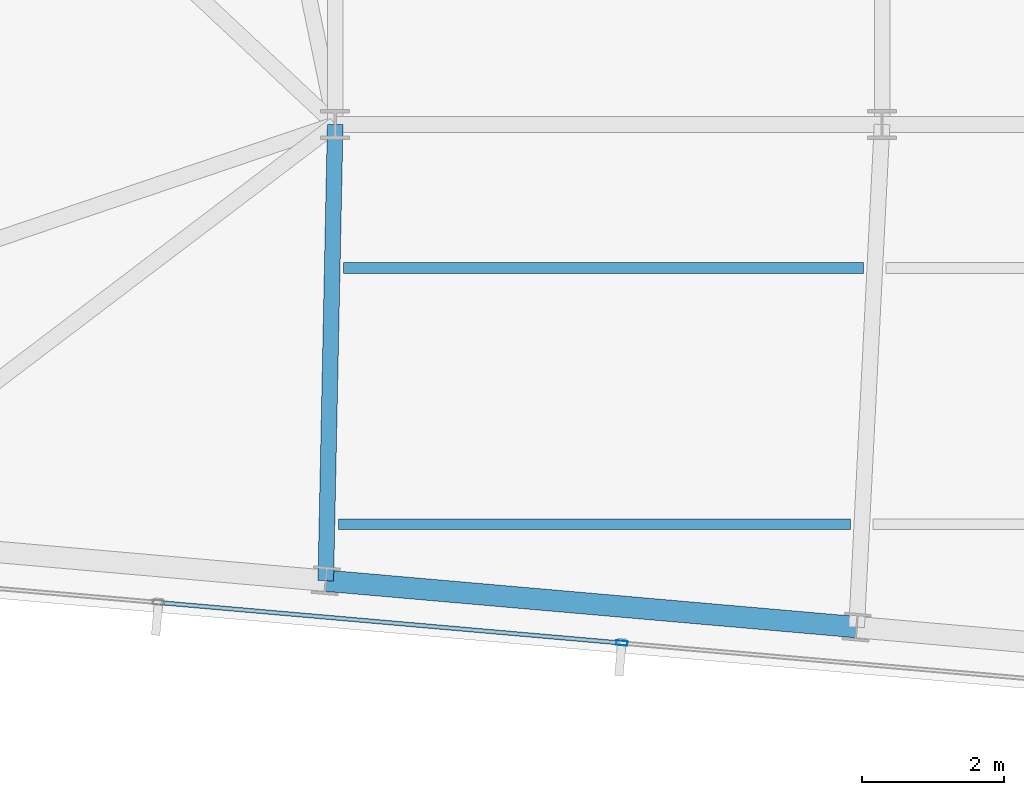
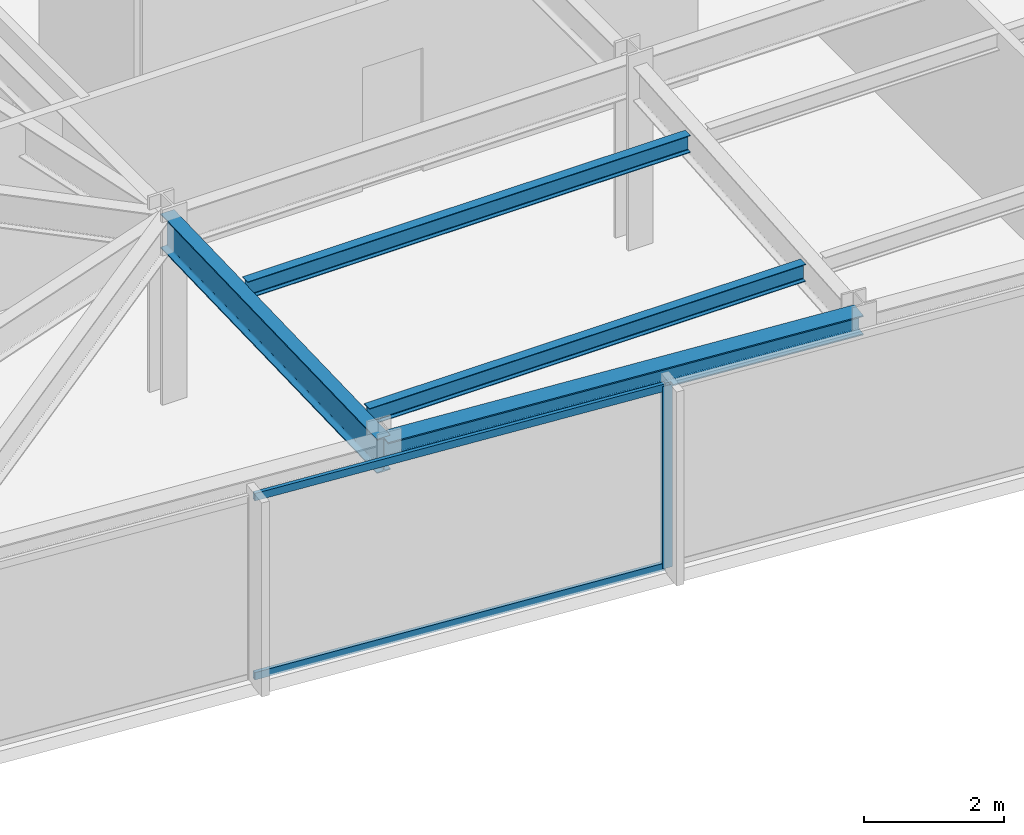
# One storey, part 6 of 32: 4 beams, 3 members, 1 element without a shape of its own.
"""IFC4 building model written with IfcOpenShell, lengths in metres."""

from ifc_helpers import new_model, si_unit, direction, frame, origin, origin_2d, place, context, subcontext, project, spatial, hollow_rectangle, i_section, extrude, material, material_profile, profile_set, type_object, element, aggregate, save


model = new_model("IFC4")

# Units and contexts
model_context = context("Model", 3, precision=1e-05, world=origin(), true_north=direction((0.0, 1.0)))
body_context = subcontext(model_context, "Body", "Model", "MODEL_VIEW")
ifc_project = project(units=[si_unit("LENGTHUNIT", "METRE"), si_unit("AREAUNIT", "SQUARE_METRE"), si_unit("VOLUMEUNIT", "CUBIC_METRE"), si_unit("PLANEANGLEUNIT", "RADIAN"), si_unit("MASSUNIT", "GRAM", prefix="KILO")], contexts=[model_context])

# Site, building, storey
site_placement = place(None, origin())
site = spatial("IfcSite", under=ifc_project, at=site_placement, CompositionType="ELEMENT")
building_placement = place(site_placement, origin())
building = spatial("IfcBuilding", under=site, at=building_placement, Name="Yelkora Congress Tower", CompositionType="ELEMENT")
storey_placement = place(building_placement, frame((0.0, 0.0, 265.89990234375)))
storey = spatial("IfcBuildingStorey", under=building, at=storey_placement, Name="L74", CompositionType="ELEMENT", Elevation=265.89990234375)

# Beams
ifc_material_1 = material(Name="Steel S355J2", Category="steel")
ifc_material_profile_1 = material_profile(ifc_material_1, i_section(OverallWidth=0.219970703125, OverallDepth=0.60009765625, WebThickness=0.011962890625, FlangeThickness=0.01904296875, FilletRadius=0.02392578125, at=origin_2d()), Name="IPE 600")
ifc_profile_set_1 = profile_set([ifc_material_profile_1], Name="Steel S355J2")
beam_type_1 = type_object("IfcBeamType", Name="BM-GIRD-IPE600", PredefinedType="BEAM", material=ifc_profile_set_1)
beam_1_placement = place(storey_placement, frame((22.90771484375, 18.793212890625, 2.880126953125), z_axis=(0.020649509667, 0.999786776143, 0.0), x_axis=(-0.999786776143, 0.020649509667, 0.0)))
element("IfcBeam", 1, at=beam_1_placement, inside=storey, type_object=beam_type_1, Name="L74 Primary Frame Girder S03", PredefinedType="BEAM", context=body_context, shape_type="SweptSolid", body=[
    extrude(i_section(OverallWidth=0.219970703125, OverallDepth=0.60009765625, WebThickness=0.011962890625, FlangeThickness=0.01904296875, FilletRadius=0.02392578125, at=origin_2d()), origin(), (0.0, 0.0, 1.0), 6.408203125),
])
ifc_material_profile_2 = material_profile(ifc_material_1, i_section(OverallWidth=0.14990234375, OverallDepth=0.300048828125, WebThickness=0.007080078125, FlangeThickness=0.0107421875, FilletRadius=0.014892578125, at=origin_2d()), Name="IPE 300")
ifc_profile_set_2 = profile_set([ifc_material_profile_2], Name="Steel S355J2")
beam_type_2 = type_object("IfcBeamType", Name="BM-JOIST-IPE300", PredefinedType="JOIST", material=ifc_profile_set_2)
beam_2_placement = place(storey_placement, frame((23.083984375, 19.58447265625, 3.030029296875), z_axis=(1.0, 0.0, 0.0), x_axis=(0.0, 1.0, 0.0)))
element("IfcBeam", 2, at=beam_2_placement, inside=storey, type_object=beam_type_2, Name="L74 Composite Floor Joist 1", PredefinedType="JOIST", context=body_context, shape_type="SweptSolid", body=[
    extrude(i_section(OverallWidth=0.14990234375, OverallDepth=0.300048828125, WebThickness=0.007080078125, FlangeThickness=0.0107421875, FilletRadius=0.014892578125, at=origin_2d()), origin(), (0.0, 0.0, 1.0), 7.191650390625),
])
beam_3_placement = place(storey_placement, frame((23.158447265625, 23.1845703125, 3.030029296875), z_axis=(1.0, 0.0, 0.0), x_axis=(0.0, 1.0, 0.0)))
element("IfcBeam", 3, at=beam_3_placement, inside=storey, type_object=beam_type_2, Name="L74 Composite Floor Joist 5", PredefinedType="JOIST", context=body_context, shape_type="SweptSolid", body=[
    extrude(i_section(OverallWidth=0.14990234375, OverallDepth=0.300048828125, WebThickness=0.007080078125, FlangeThickness=0.0107421875, FilletRadius=0.014892578125, at=origin_2d()), origin(), (0.0, 0.0, 1.0), 7.299560546875),
])
ifc_material_profile_3 = material_profile(ifc_material_1, i_section(OverallWidth=0.300048828125, OverallDepth=0.340087890625, WebThickness=0.011962890625, FlangeThickness=0.021484375, FilletRadius=0.027099609375, at=origin_2d()), Name="HEB 340")
ifc_profile_set_3 = profile_set([ifc_material_profile_3], Name="Steel S355J2")
beam_type_3 = type_object("IfcBeamType", Name="BM-SPAN-HEB340", PredefinedType="SPANDREL", material=ifc_profile_set_3)
beam_4_placement = place(storey_placement, frame((22.90771484375, 18.793212890625, 3.010009765625), z_axis=(0.99619601894, -0.087140644067, 0.0), x_axis=(0.087140644067, 0.99619601894, 0.0)))
element("IfcBeam", 4, at=beam_4_placement, inside=storey, type_object=beam_type_3, Name="L74 Perimeter Beam 3", PredefinedType="SPANDREL", context=body_context, shape_type="SweptSolid", body=[
    extrude(i_section(OverallWidth=0.300048828125, OverallDepth=0.340087890625, WebThickness=0.011962890625, FlangeThickness=0.021484375, FilletRadius=0.027099609375, at=origin_2d()), origin(), (0.0, 0.0, 1.0), 7.4833984375),
])

# Curtain wall, members
ifc_material_2 = material(Name="Anodised aluminium and insulated glass", Category="aluminium")
curtain_wall_type = type_object("IfcCurtainWallType", Name="CW-SYS-B5", PredefinedType="NOTDEFINED", material=ifc_material_2)
curtain_wall_placement = place(storey_placement, origin())
curtain_wall = element("IfcCurtainWall", 5, at=curtain_wall_placement, inside=storey, type_object=curtain_wall_type, Name="L74 Unitised Curtain Wall 20", PredefinedType="NOTDEFINED")
ifc_material_3 = material(Name="Anodised aluminium 6063-T6", Category="aluminium")
ifc_material_profile_4 = material_profile(ifc_material_3, hollow_rectangle(XDim=0.06494140625, YDim=0.159912109375, WallThickness=0.00390625, at=origin_2d()), Name="ALU 65x160x4")
ifc_profile_set_4 = profile_set([ifc_material_profile_4], Name="Anodised aluminium 6063-T6")
member_type_1 = type_object("IfcMemberType", Name="MEM-ML-B5", PredefinedType="MULLION", material=ifc_profile_set_4)
member_1_placement = place(storey_placement, frame((27.06494140625, 17.917724609375, 0.0), z_axis=(0.0, 0.0, 1.0), x_axis=(-0.087156829793, -0.996194602987, 0.0)))
member_1 = element("IfcMember", 6, at=member_1_placement, type_object=member_type_1, Name="CW-B5 mullion 5", PredefinedType="MULLION", context=body_context, shape_type="SweptSolid", body=[
    extrude(hollow_rectangle(XDim=0.06494140625, YDim=0.159912109375, WallThickness=0.00390625, at=origin_2d()), origin(), (0.0, 0.0, 1.0), 3.18017578125),
])
ifc_material_profile_5 = material_profile(ifc_material_3, hollow_rectangle(XDim=0.06005859375, YDim=0.1298828125, WallThickness=0.00390625, at=origin_2d()), Name="ALU 60x130x4")
ifc_profile_set_5 = profile_set([ifc_material_profile_5], Name="Anodised aluminium 6063-T6")
member_type_2 = type_object("IfcMemberType", Name="MEM-TR-B5", PredefinedType="USERDEFINED", material=ifc_profile_set_5)
member_2_placement = place(storey_placement, frame((27.032470703125, 17.920654296875, 0.030029296875), z_axis=(-0.996196257862, 0.087137912649, 0.0), x_axis=(-0.087137912649, -0.996196257862, 0.0)))
member_2 = element("IfcMember", 7, at=member_2_placement, type_object=member_type_2, Name="CW-B5 transom 5.1", ObjectType="TRANSOM", PredefinedType="USERDEFINED", context=body_context, shape_type="SweptSolid", body=[
    extrude(hollow_rectangle(XDim=0.06005859375, YDim=0.1298828125, WallThickness=0.00390625, at=origin_2d()), origin(), (0.0, 0.0, 1.0), 6.466552734375),
])
member_3_placement = place(storey_placement, frame((27.032470703125, 17.920654296875, 3.150146484375), z_axis=(-0.996196257862, 0.087137912649, 0.0), x_axis=(-0.087137912649, -0.996196257862, 0.0)))
member_3 = element("IfcMember", 8, at=member_3_placement, type_object=member_type_2, Name="CW-B5 transom 5.2", ObjectType="TRANSOM", PredefinedType="USERDEFINED", context=body_context, shape_type="SweptSolid", body=[
    extrude(hollow_rectangle(XDim=0.06005859375, YDim=0.1298828125, WallThickness=0.00390625, at=origin_2d()), origin(), (0.0, 0.0, 1.0), 6.466552734375),
])
aggregate(curtain_wall, [member_1, member_2, member_3])

save(model, "model.ifc")
